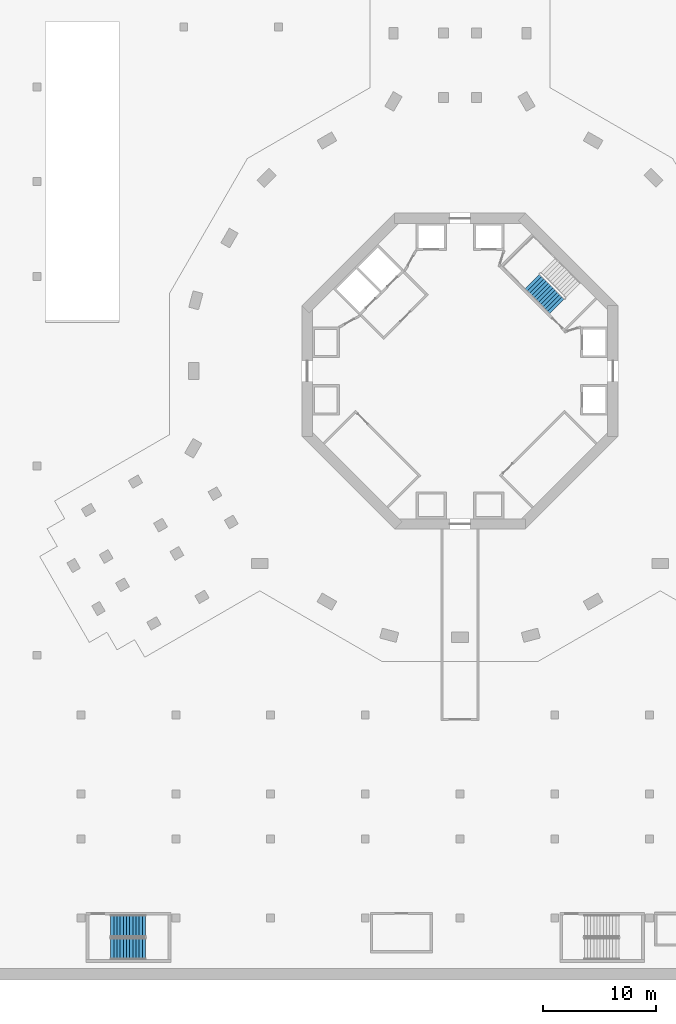
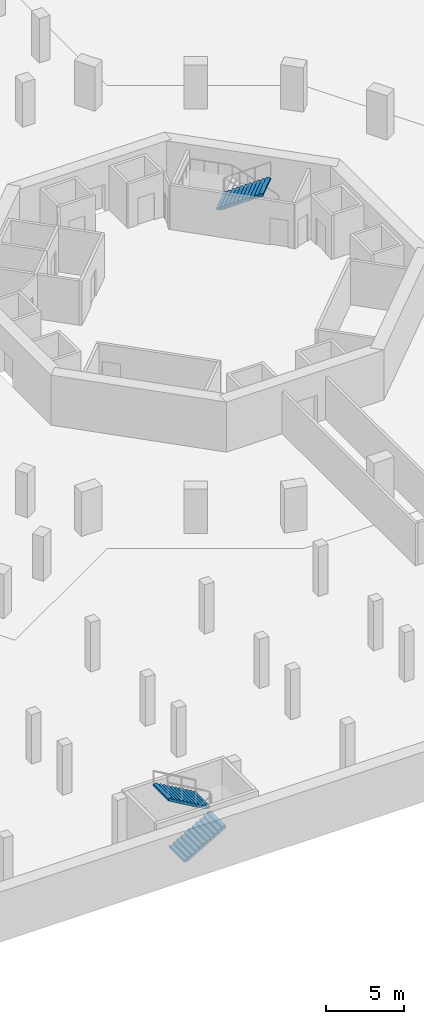
# One storey, part 13 of 25: 3 stair flights, 2 elements without a shape of their own.
"""IFC4 building model written with IfcOpenShell, lengths in metres."""

from ifc_helpers import new_model, si_unit, direction, frame, origin, place, context, subcontext, project, spatial, triangles, material, type_object, element, aggregate, save


model = new_model("IFC4")

# Units and contexts
model_context = context("Model", 3, precision=1e-05, world=origin(), true_north=direction((0.0, 1.0)))
body_context = subcontext(model_context, "Body", "Model", "MODEL_VIEW")
ifc_project = project(units=[si_unit("LENGTHUNIT", "METRE"), si_unit("AREAUNIT", "SQUARE_METRE"), si_unit("VOLUMEUNIT", "CUBIC_METRE"), si_unit("PLANEANGLEUNIT", "RADIAN"), si_unit("MASSUNIT", "GRAM", prefix="KILO")], contexts=[model_context])

# Site, building, storey
site_placement = place(None, origin())
site = spatial("IfcSite", under=ifc_project, at=site_placement, CompositionType="ELEMENT")
building_placement = place(site_placement, origin())
building = spatial("IfcBuilding", under=site, at=building_placement, Name="Verdalira Terraces Hotel", CompositionType="ELEMENT")
storey_placement = place(building_placement, frame((0.0, 0.0, -3.899902)))
storey = spatial("IfcBuildingStorey", under=building, at=storey_placement, Name="B1", CompositionType="ELEMENT", Elevation=-3.89990234375)

# Stair, stair flights
ifc_material_1 = material(Name="Concrete C40", Category="concrete")
stair_type_1 = type_object("IfcStairType", Name="Car park stair 24 risers", PredefinedType="HALF_TURN_STAIR", material=ifc_material_1)
stair_1_placement = place(storey_placement, origin())
stair_1 = element("IfcStair", 1, at=stair_1_placement, inside=storey, type_object=stair_type_1, Name="B1 Exit stair Basement stair 1", PredefinedType="HALF_TURN_STAIR")
ifc_material_2 = material(Name="Concrete C40", Category="concrete")
stair_flight_type_1 = type_object("IfcStairFlightType", Name="Car park stair flight 24 risers", PredefinedType="STRAIGHT", material=ifc_material_2)
stair_flight_1_placement = place(storey_placement, frame((-30.975098, -51.237549, 0.0), z_axis=(0.0, 0.0, 1.0), x_axis=(1.0, 0.0, 0.0)))
stair_flight_1 = element("IfcStairFlight", 2, at=stair_flight_1_placement, type_object=stair_flight_type_1, Name="Basement stair 1 flight 1", NumberOfRisers=12, NumberOfTreads=11, PredefinedType="STRAIGHT", RiserHeight=0.1625, TreadLength=0.28, context=body_context, shape_type="Tessellation", body=[
    triangles([(0.0, 0.962524, 0.0), (0.298584, 0.962524, 0.0), (3.080078, 0.962524, 1.614258), (0.0, -0.962524, 0.0), (0.298584, -0.962524, 0.0), (3.080078, -0.962524, 1.614258), (3.080078, 0.962524, 1.787598), (2.800049, 0.962524, 1.787598), (3.080078, -0.962524, 1.787598), (2.800049, -0.962524, 1.787598), (2.800049, 0.962524, 1.625), (2.800049, -0.962524, 1.625), (2.52002, 0.962524, 1.625), (2.52002, -0.962524, 1.625), (2.52002, 0.962524, 1.462402), (2.52002, -0.962524, 1.462402), (2.23999, 0.962524, 1.462402), (2.23999, 0.962524, 1.300049), (2.23999, -0.962524, 1.462402), (2.23999, -0.962524, 1.300049), (1.959961, 0.962524, 1.300049), (1.959961, 0.962524, 1.137451), (1.959961, -0.962524, 1.300049), (1.959961, -0.962524, 1.137451), (1.679932, 0.962524, 1.137451), (1.679932, 0.962524, 0.975098), (1.679932, -0.962524, 1.137451), (1.679932, -0.962524, 0.975098), (1.399902, 0.962524, 0.975098), (1.399902, 0.962524, 0.8125), (1.399902, -0.962524, 0.975098), (1.399902, -0.962524, 0.8125), (1.120117, 0.962524, 0.8125), (1.120117, 0.962524, 0.649902), (1.120117, -0.962524, 0.8125), (1.120117, -0.962524, 0.649902), (0.840088, 0.962524, 0.649902), (0.840088, 0.962524, 0.487549), (0.840088, -0.962524, 0.649902), (0.840088, -0.962524, 0.487549), (0.560059, 0.962524, 0.487549), (0.560059, 0.962524, 0.324951), (0.560059, -0.962524, 0.487549), (0.560059, -0.962524, 0.324951), (0.280029, 0.962524, 0.324951), (0.280029, 0.962524, 0.162598), (0.280029, -0.962524, 0.324951), (0.280029, -0.962524, 0.162598), (0.0, 0.962524, 0.162598), (0.0, -0.962524, 0.162598), (0.0, -0.902367, 0.0), (0.0, -0.902367, 0.162598), (0.0, -0.842209, 0.0), (0.0, -0.842209, 0.162598), (0.0, -0.782051, 0.0), (0.0, -0.782051, 0.162598), (0.0, -0.721893, 0.0), (0.0, -0.721893, 0.162598), (0.0, -0.661736, 0.0), (0.0, -0.661736, 0.162598), (0.0, -0.601578, 0.0), (0.0, -0.601578, 0.162598), (0.0, -0.54142, 0.0), (0.0, -0.54142, 0.162598), (0.0, -0.481262, 0.0), (0.0, -0.481262, 0.162598), (0.0, -0.421104, 0.0), (0.0, -0.421104, 0.162598), (0.0, -0.360947, 0.0), (0.0, -0.360947, 0.162598), (0.0, -0.300789, 0.0), (0.0, -0.300789, 0.162598), (0.0, -0.240631, 0.0), (0.0, -0.240631, 0.162598), (0.0, -0.180473, 0.0), (0.0, -0.180473, 0.162598), (0.0, -0.120316, 0.0), (0.0, -0.120316, 0.162598), (0.0, -0.060158, 0.0), (0.0, -0.060158, 0.162598), (0.0, 0.0, 0.0), (0.0, 0.0, 0.162598), (0.0, 0.060158, 0.0), (0.0, 0.060158, 0.162598), (0.0, 0.120316, 0.0), (0.0, 0.120316, 0.162598), (0.0, 0.180473, 0.0), (0.0, 0.180473, 0.162598), (0.0, 0.240631, 0.0), (0.0, 0.240631, 0.162598), (0.0, 0.300789, 0.0), (0.0, 0.300789, 0.162598), (0.0, 0.360947, 0.0), (0.0, 0.360947, 0.162598), (0.0, 0.421104, 0.0), (0.0, 0.421104, 0.162598), (0.0, 0.481262, 0.0), (0.0, 0.481262, 0.162598), (0.0, 0.54142, 0.0), (0.0, 0.54142, 0.162598), (0.0, 0.601578, 0.0), (0.0, 0.601578, 0.162598), (0.0, 0.661736, 0.0), (0.0, 0.661736, 0.162598), (0.0, 0.721893, 0.0), (0.0, 0.721893, 0.162598), (0.0, 0.782051, 0.0), (0.0, 0.782051, 0.162598), (0.0, 0.842209, 0.0), (0.0, 0.842209, 0.162598), (0.0, 0.902367, 0.0), (0.0, 0.902367, 0.162598), (3.080078, -0.902367, 1.787598), (3.080078, -0.842209, 1.787598), (3.080078, -0.782051, 1.787598), (3.080078, -0.721893, 1.787598), (3.080078, -0.661736, 1.787598), (3.080078, -0.601578, 1.787598), (3.080078, -0.54142, 1.787598), (3.080078, -0.481262, 1.787598), (3.080078, -0.421104, 1.787598), (3.080078, -0.360947, 1.787598), (3.080078, -0.300789, 1.787598), (3.080078, -0.240631, 1.787598), (3.080078, -0.180473, 1.787598), (3.080078, -0.120316, 1.787598), (3.080078, -0.060158, 1.787598), (3.080078, 0.0, 1.787598), (3.080078, 0.060158, 1.787598), (3.080078, 0.120316, 1.787598), (3.080078, 0.180473, 1.787598), (3.080078, 0.240631, 1.787598), (3.080078, 0.300789, 1.787598), (3.080078, 0.360947, 1.787598), (3.080078, 0.421104, 1.787598), (3.080078, 0.481262, 1.787598), (3.080078, 0.54142, 1.787598), (3.080078, 0.601578, 1.787598), (3.080078, 0.661736, 1.787598), (3.080078, 0.721893, 1.787598), (3.080078, 0.782051, 1.787598), (3.080078, 0.842209, 1.787598), (3.080078, 0.902367, 1.787598), (3.080078, -0.902367, 1.614258), (3.080078, -0.842209, 1.614258), (3.080078, -0.782051, 1.614258), (3.080078, -0.721893, 1.614258), (3.080078, -0.661736, 1.614258), (3.080078, -0.601578, 1.614258), (3.080078, -0.54142, 1.614258), (3.080078, -0.481262, 1.614258), (3.080078, -0.421104, 1.614258), (3.080078, -0.360947, 1.614258), (3.080078, -0.300789, 1.614258), (3.080078, -0.240631, 1.614258), (3.080078, -0.180473, 1.614258), (3.080078, -0.120316, 1.614258), (3.080078, -0.060158, 1.614258), (3.080078, 0.0, 1.614258), (3.080078, 0.060158, 1.614258), (3.080078, 0.120316, 1.614258), (3.080078, 0.180473, 1.614258), (3.080078, 0.240631, 1.614258), (3.080078, 0.300789, 1.614258), (3.080078, 0.360947, 1.614258), (3.080078, 0.421104, 1.614258), (3.080078, 0.481262, 1.614258), (3.080078, 0.54142, 1.614258), (3.080078, 0.601578, 1.614258), (3.080078, 0.661736, 1.614258), (3.080078, 0.721893, 1.614258), (3.080078, 0.782051, 1.614258), (3.080078, 0.842209, 1.614258), (3.080078, 0.902367, 1.614258)], [[1, 3, 2], [4, 5, 6], [3, 8, 7], [6, 9, 10], [3, 11, 8], [6, 10, 12], [3, 13, 11], [6, 12, 14], [3, 15, 13], [6, 14, 16], [15, 18, 17], [16, 19, 20], [3, 18, 15], [6, 16, 20], [18, 22, 21], [20, 23, 24], [3, 22, 18], [6, 20, 24], [22, 26, 25], [24, 27, 28], [3, 26, 22], [6, 24, 28], [26, 30, 29], [28, 31, 32], [3, 30, 26], [6, 28, 32], [30, 34, 33], [32, 35, 36], [3, 34, 30], [6, 32, 36], [34, 38, 37], [36, 39, 40], [3, 38, 34], [6, 36, 40], [38, 42, 41], [40, 43, 44], [3, 42, 38], [6, 40, 44], [1, 42, 3], [4, 6, 44], [42, 46, 45], [44, 47, 48], [1, 46, 42], [4, 44, 48], [46, 1, 49], [48, 50, 4], [4, 52, 51], [4, 50, 52], [51, 54, 53], [51, 52, 54], [53, 56, 55], [53, 54, 56], [55, 58, 57], [55, 56, 58], [57, 60, 59], [57, 58, 60], [59, 62, 61], [59, 60, 62], [61, 64, 63], [61, 62, 64], [63, 66, 65], [63, 64, 66], [65, 68, 67], [65, 66, 68], [67, 70, 69], [67, 68, 70], [69, 72, 71], [69, 70, 72], [71, 74, 73], [71, 72, 74], [73, 76, 75], [73, 74, 76], [75, 78, 77], [75, 76, 78], [77, 80, 79], [77, 78, 80], [79, 82, 81], [79, 80, 82], [81, 84, 83], [81, 82, 84], [83, 86, 85], [83, 84, 86], [85, 88, 87], [85, 86, 88], [87, 90, 89], [87, 88, 90], [89, 92, 91], [89, 90, 92], [91, 94, 93], [91, 92, 94], [93, 96, 95], [93, 94, 96], [95, 98, 97], [95, 96, 98], [97, 100, 99], [97, 98, 100], [99, 102, 101], [99, 100, 102], [101, 104, 103], [101, 102, 104], [103, 106, 105], [103, 104, 106], [105, 108, 107], [105, 106, 108], [107, 110, 109], [107, 108, 110], [109, 112, 111], [109, 110, 112], [111, 49, 1], [111, 112, 49], [50, 48, 52], [52, 48, 54], [54, 48, 56], [56, 48, 58], [58, 48, 60], [60, 48, 62], [62, 48, 64], [64, 48, 66], [66, 48, 68], [68, 48, 70], [70, 48, 72], [72, 48, 74], [74, 48, 76], [76, 48, 78], [78, 48, 80], [80, 48, 82], [82, 48, 84], [84, 48, 86], [86, 48, 88], [88, 48, 90], [90, 48, 92], [92, 48, 94], [94, 48, 96], [96, 48, 98], [98, 48, 100], [100, 48, 102], [102, 48, 104], [104, 48, 106], [106, 48, 108], [108, 48, 110], [110, 48, 112], [112, 48, 49], [49, 48, 46], [48, 45, 46], [48, 47, 45], [47, 42, 45], [47, 44, 42], [44, 41, 42], [44, 43, 41], [43, 38, 41], [43, 40, 38], [40, 37, 38], [40, 39, 37], [39, 34, 37], [39, 36, 34], [36, 33, 34], [36, 35, 33], [35, 30, 33], [35, 32, 30], [32, 29, 30], [32, 31, 29], [31, 26, 29], [31, 28, 26], [28, 25, 26], [28, 27, 25], [27, 22, 25], [27, 24, 22], [24, 21, 22], [24, 23, 21], [23, 18, 21], [23, 20, 18], [20, 17, 18], [20, 19, 17], [19, 15, 17], [19, 16, 15], [16, 13, 15], [16, 14, 13], [14, 11, 13], [14, 12, 11], [12, 8, 11], [12, 10, 8], [9, 113, 10], [113, 114, 10], [114, 115, 10], [115, 116, 10], [116, 117, 10], [117, 118, 10], [118, 119, 10], [119, 120, 10], [120, 121, 10], [121, 122, 10], [122, 123, 10], [123, 124, 10], [124, 125, 10], [125, 126, 10], [126, 127, 10], [127, 128, 10], [128, 129, 10], [129, 130, 10], [130, 131, 10], [131, 132, 10], [132, 133, 10], [133, 134, 10], [134, 135, 10], [135, 136, 10], [136, 137, 10], [137, 138, 10], [138, 139, 10], [139, 140, 10], [140, 141, 10], [141, 142, 10], [142, 143, 10], [143, 7, 10], [7, 8, 10], [9, 144, 113], [9, 6, 144], [113, 145, 114], [113, 144, 145], [114, 146, 115], [114, 145, 146], [115, 147, 116], [115, 146, 147], [116, 148, 117], [116, 147, 148], [117, 149, 118], [117, 148, 149], [118, 150, 119], [118, 149, 150], [119, 151, 120], [119, 150, 151], [120, 152, 121], [120, 151, 152], [121, 153, 122], [121, 152, 153], [122, 154, 123], [122, 153, 154], [123, 155, 124], [123, 154, 155], [124, 156, 125], [124, 155, 156], [125, 157, 126], [125, 156, 157], [126, 158, 127], [126, 157, 158], [127, 159, 128], [127, 158, 159], [128, 160, 129], [128, 159, 160], [129, 161, 130], [129, 160, 161], [130, 162, 131], [130, 161, 162], [131, 163, 132], [131, 162, 163], [132, 164, 133], [132, 163, 164], [133, 165, 134], [133, 164, 165], [134, 166, 135], [134, 165, 166], [135, 167, 136], [135, 166, 167], [136, 168, 137], [136, 167, 168], [137, 169, 138], [137, 168, 169], [138, 170, 139], [138, 169, 170], [139, 171, 140], [139, 170, 171], [140, 172, 141], [140, 171, 172], [141, 173, 142], [141, 172, 173], [142, 174, 143], [142, 173, 174], [143, 3, 7], [143, 174, 3], [6, 5, 144], [144, 5, 145], [145, 5, 146], [146, 5, 147], [147, 5, 148], [148, 5, 149], [149, 5, 150], [150, 5, 151], [151, 5, 152], [152, 5, 153], [153, 5, 154], [154, 5, 155], [155, 5, 156], [156, 5, 157], [157, 5, 158], [158, 5, 159], [159, 5, 160], [160, 5, 161], [161, 5, 162], [162, 5, 163], [163, 5, 164], [164, 5, 165], [165, 5, 166], [166, 5, 167], [167, 5, 168], [168, 5, 169], [169, 5, 170], [170, 5, 171], [171, 5, 172], [172, 5, 173], [173, 5, 174], [174, 5, 3], [3, 5, 2], [4, 51, 5], [51, 53, 5], [53, 55, 5], [55, 57, 5], [57, 59, 5], [59, 61, 5], [61, 63, 5], [63, 65, 5], [65, 67, 5], [67, 69, 5], [69, 71, 5], [71, 73, 5], [73, 75, 5], [75, 77, 5], [77, 79, 5], [79, 81, 5], [81, 83, 5], [83, 85, 5], [85, 87, 5], [87, 89, 5], [89, 91, 5], [91, 93, 5], [93, 95, 5], [95, 97, 5], [97, 99, 5], [99, 101, 5], [101, 103, 5], [103, 105, 5], [105, 107, 5], [107, 109, 5], [109, 111, 5], [111, 1, 5], [1, 2, 5]], closed=True),
])
stair_flight_2_placement = place(storey_placement, frame((-27.89502, -49.212402, 1.949951), z_axis=(0.0, 0.0, 1.0), x_axis=(-1.0, 0.0, 0.0)))
stair_flight_2 = element("IfcStairFlight", 3, at=stair_flight_2_placement, type_object=stair_flight_type_1, Name="Basement stair 1 flight 2", NumberOfRisers=12, NumberOfTreads=11, PredefinedType="STRAIGHT", RiserHeight=0.1625, TreadLength=0.28, context=body_context, shape_type="Tessellation", body=[
    triangles([(0.0, 0.962524, 0.0), (0.298584, 0.962524, 0.0), (3.080078, 0.962524, 1.614258), (0.0, -0.962524, 0.0), (0.298584, -0.962524, 0.0), (3.080078, -0.962524, 1.614258), (3.080078, 0.962524, 1.787598), (2.800049, 0.962524, 1.787598), (3.080078, -0.962524, 1.787598), (2.800049, -0.962524, 1.787598), (2.800049, 0.962524, 1.625), (2.800049, -0.962524, 1.625), (2.52002, 0.962524, 1.625), (2.52002, -0.962524, 1.625), (2.52002, 0.962524, 1.462402), (2.52002, -0.962524, 1.462402), (2.23999, 0.962524, 1.462402), (2.23999, 0.962524, 1.300049), (2.23999, -0.962524, 1.462402), (2.23999, -0.962524, 1.300049), (1.959961, 0.962524, 1.300049), (1.959961, 0.962524, 1.137451), (1.959961, -0.962524, 1.300049), (1.959961, -0.962524, 1.137451), (1.679932, 0.962524, 1.137451), (1.679932, 0.962524, 0.975098), (1.679932, -0.962524, 1.137451), (1.679932, -0.962524, 0.975098), (1.399902, 0.962524, 0.975098), (1.399902, 0.962524, 0.8125), (1.399902, -0.962524, 0.975098), (1.399902, -0.962524, 0.8125), (1.120117, 0.962524, 0.8125), (1.120117, 0.962524, 0.649902), (1.120117, -0.962524, 0.8125), (1.120117, -0.962524, 0.649902), (0.840088, 0.962524, 0.649902), (0.840088, 0.962524, 0.487549), (0.840088, -0.962524, 0.649902), (0.840088, -0.962524, 0.487549), (0.560059, 0.962524, 0.487549), (0.560059, 0.962524, 0.324951), (0.560059, -0.962524, 0.487549), (0.560059, -0.962524, 0.324951), (0.280029, 0.962524, 0.324951), (0.280029, 0.962524, 0.162598), (0.280029, -0.962524, 0.324951), (0.280029, -0.962524, 0.162598), (0.0, 0.962524, 0.162598), (0.0, -0.962524, 0.162598), (0.0, -0.902367, 0.0), (0.0, -0.902367, 0.162598), (0.0, -0.842209, 0.0), (0.0, -0.842209, 0.162598), (0.0, -0.782051, 0.0), (0.0, -0.782051, 0.162598), (0.0, -0.721893, 0.0), (0.0, -0.721893, 0.162598), (0.0, -0.661736, 0.0), (0.0, -0.661736, 0.162598), (0.0, -0.601578, 0.0), (0.0, -0.601578, 0.162598), (0.0, -0.54142, 0.0), (0.0, -0.54142, 0.162598), (0.0, -0.481262, 0.0), (0.0, -0.481262, 0.162598), (0.0, -0.421104, 0.0), (0.0, -0.421104, 0.162598), (0.0, -0.360947, 0.0), (0.0, -0.360947, 0.162598), (0.0, -0.300789, 0.0), (0.0, -0.300789, 0.162598), (0.0, -0.240631, 0.0), (0.0, -0.240631, 0.162598), (0.0, -0.180473, 0.0), (0.0, -0.180473, 0.162598), (0.0, -0.120316, 0.0), (0.0, -0.120316, 0.162598), (0.0, -0.060158, 0.0), (0.0, -0.060158, 0.162598), (0.0, 0.0, 0.0), (0.0, 0.0, 0.162598), (0.0, 0.060158, 0.0), (0.0, 0.060158, 0.162598), (0.0, 0.120316, 0.0), (0.0, 0.120316, 0.162598), (0.0, 0.180473, 0.0), (0.0, 0.180473, 0.162598), (0.0, 0.240631, 0.0), (0.0, 0.240631, 0.162598), (0.0, 0.300789, 0.0), (0.0, 0.300789, 0.162598), (0.0, 0.360947, 0.0), (0.0, 0.360947, 0.162598), (0.0, 0.421104, 0.0), (0.0, 0.421104, 0.162598), (0.0, 0.481262, 0.0), (0.0, 0.481262, 0.162598), (0.0, 0.54142, 0.0), (0.0, 0.54142, 0.162598), (0.0, 0.601578, 0.0), (0.0, 0.601578, 0.162598), (0.0, 0.661736, 0.0), (0.0, 0.661736, 0.162598), (0.0, 0.721893, 0.0), (0.0, 0.721893, 0.162598), (0.0, 0.782051, 0.0), (0.0, 0.782051, 0.162598), (0.0, 0.842209, 0.0), (0.0, 0.842209, 0.162598), (0.0, 0.902367, 0.0), (0.0, 0.902367, 0.162598), (3.080078, -0.902367, 1.787598), (3.080078, -0.842209, 1.787598), (3.080078, -0.782051, 1.787598), (3.080078, -0.721893, 1.787598), (3.080078, -0.661736, 1.787598), (3.080078, -0.601578, 1.787598), (3.080078, -0.54142, 1.787598), (3.080078, -0.481262, 1.787598), (3.080078, -0.421104, 1.787598), (3.080078, -0.360947, 1.787598), (3.080078, -0.300789, 1.787598), (3.080078, -0.240631, 1.787598), (3.080078, -0.180473, 1.787598), (3.080078, -0.120316, 1.787598), (3.080078, -0.060158, 1.787598), (3.080078, 0.0, 1.787598), (3.080078, 0.060158, 1.787598), (3.080078, 0.120316, 1.787598), (3.080078, 0.180473, 1.787598), (3.080078, 0.240631, 1.787598), (3.080078, 0.300789, 1.787598), (3.080078, 0.360947, 1.787598), (3.080078, 0.421104, 1.787598), (3.080078, 0.481262, 1.787598), (3.080078, 0.54142, 1.787598), (3.080078, 0.601578, 1.787598), (3.080078, 0.661736, 1.787598), (3.080078, 0.721893, 1.787598), (3.080078, 0.782051, 1.787598), (3.080078, 0.842209, 1.787598), (3.080078, 0.902367, 1.787598), (3.080078, -0.902367, 1.614258), (3.080078, -0.842209, 1.614258), (3.080078, -0.782051, 1.614258), (3.080078, -0.721893, 1.614258), (3.080078, -0.661736, 1.614258), (3.080078, -0.601578, 1.614258), (3.080078, -0.54142, 1.614258), (3.080078, -0.481262, 1.614258), (3.080078, -0.421104, 1.614258), (3.080078, -0.360947, 1.614258), (3.080078, -0.300789, 1.614258), (3.080078, -0.240631, 1.614258), (3.080078, -0.180473, 1.614258), (3.080078, -0.120316, 1.614258), (3.080078, -0.060158, 1.614258), (3.080078, 0.0, 1.614258), (3.080078, 0.060158, 1.614258), (3.080078, 0.120316, 1.614258), (3.080078, 0.180473, 1.614258), (3.080078, 0.240631, 1.614258), (3.080078, 0.300789, 1.614258), (3.080078, 0.360947, 1.614258), (3.080078, 0.421104, 1.614258), (3.080078, 0.481262, 1.614258), (3.080078, 0.54142, 1.614258), (3.080078, 0.601578, 1.614258), (3.080078, 0.661736, 1.614258), (3.080078, 0.721893, 1.614258), (3.080078, 0.782051, 1.614258), (3.080078, 0.842209, 1.614258), (3.080078, 0.902367, 1.614258)], [[1, 3, 2], [4, 5, 6], [3, 8, 7], [6, 9, 10], [3, 11, 8], [6, 10, 12], [3, 13, 11], [6, 12, 14], [3, 15, 13], [6, 14, 16], [15, 18, 17], [16, 19, 20], [3, 18, 15], [6, 16, 20], [18, 22, 21], [20, 23, 24], [3, 22, 18], [6, 20, 24], [22, 26, 25], [24, 27, 28], [3, 26, 22], [6, 24, 28], [26, 30, 29], [28, 31, 32], [3, 30, 26], [6, 28, 32], [30, 34, 33], [32, 35, 36], [3, 34, 30], [6, 32, 36], [34, 38, 37], [36, 39, 40], [3, 38, 34], [6, 36, 40], [38, 42, 41], [40, 43, 44], [3, 42, 38], [6, 40, 44], [1, 42, 3], [4, 6, 44], [42, 46, 45], [44, 47, 48], [1, 46, 42], [4, 44, 48], [46, 1, 49], [48, 50, 4], [4, 52, 51], [4, 50, 52], [51, 54, 53], [51, 52, 54], [53, 56, 55], [53, 54, 56], [55, 58, 57], [55, 56, 58], [57, 60, 59], [57, 58, 60], [59, 62, 61], [59, 60, 62], [61, 64, 63], [61, 62, 64], [63, 66, 65], [63, 64, 66], [65, 68, 67], [65, 66, 68], [67, 70, 69], [67, 68, 70], [69, 72, 71], [69, 70, 72], [71, 74, 73], [71, 72, 74], [73, 76, 75], [73, 74, 76], [75, 78, 77], [75, 76, 78], [77, 80, 79], [77, 78, 80], [79, 82, 81], [79, 80, 82], [81, 84, 83], [81, 82, 84], [83, 86, 85], [83, 84, 86], [85, 88, 87], [85, 86, 88], [87, 90, 89], [87, 88, 90], [89, 92, 91], [89, 90, 92], [91, 94, 93], [91, 92, 94], [93, 96, 95], [93, 94, 96], [95, 98, 97], [95, 96, 98], [97, 100, 99], [97, 98, 100], [99, 102, 101], [99, 100, 102], [101, 104, 103], [101, 102, 104], [103, 106, 105], [103, 104, 106], [105, 108, 107], [105, 106, 108], [107, 110, 109], [107, 108, 110], [109, 112, 111], [109, 110, 112], [111, 49, 1], [111, 112, 49], [50, 48, 52], [52, 48, 54], [54, 48, 56], [56, 48, 58], [58, 48, 60], [60, 48, 62], [62, 48, 64], [64, 48, 66], [66, 48, 68], [68, 48, 70], [70, 48, 72], [72, 48, 74], [74, 48, 76], [76, 48, 78], [78, 48, 80], [80, 48, 82], [82, 48, 84], [84, 48, 86], [86, 48, 88], [88, 48, 90], [90, 48, 92], [92, 48, 94], [94, 48, 96], [96, 48, 98], [98, 48, 100], [100, 48, 102], [102, 48, 104], [104, 48, 106], [106, 48, 108], [108, 48, 110], [110, 48, 112], [112, 48, 49], [49, 48, 46], [48, 45, 46], [48, 47, 45], [47, 42, 45], [47, 44, 42], [44, 41, 42], [44, 43, 41], [43, 38, 41], [43, 40, 38], [40, 37, 38], [40, 39, 37], [39, 34, 37], [39, 36, 34], [36, 33, 34], [36, 35, 33], [35, 30, 33], [35, 32, 30], [32, 29, 30], [32, 31, 29], [31, 26, 29], [31, 28, 26], [28, 25, 26], [28, 27, 25], [27, 22, 25], [27, 24, 22], [24, 21, 22], [24, 23, 21], [23, 18, 21], [23, 20, 18], [20, 17, 18], [20, 19, 17], [19, 15, 17], [19, 16, 15], [16, 13, 15], [16, 14, 13], [14, 11, 13], [14, 12, 11], [12, 8, 11], [12, 10, 8], [9, 113, 10], [113, 114, 10], [114, 115, 10], [115, 116, 10], [116, 117, 10], [117, 118, 10], [118, 119, 10], [119, 120, 10], [120, 121, 10], [121, 122, 10], [122, 123, 10], [123, 124, 10], [124, 125, 10], [125, 126, 10], [126, 127, 10], [127, 128, 10], [128, 129, 10], [129, 130, 10], [130, 131, 10], [131, 132, 10], [132, 133, 10], [133, 134, 10], [134, 135, 10], [135, 136, 10], [136, 137, 10], [137, 138, 10], [138, 139, 10], [139, 140, 10], [140, 141, 10], [141, 142, 10], [142, 143, 10], [143, 7, 10], [7, 8, 10], [9, 144, 113], [9, 6, 144], [113, 145, 114], [113, 144, 145], [114, 146, 115], [114, 145, 146], [115, 147, 116], [115, 146, 147], [116, 148, 117], [116, 147, 148], [117, 149, 118], [117, 148, 149], [118, 150, 119], [118, 149, 150], [119, 151, 120], [119, 150, 151], [120, 152, 121], [120, 151, 152], [121, 153, 122], [121, 152, 153], [122, 154, 123], [122, 153, 154], [123, 155, 124], [123, 154, 155], [124, 156, 125], [124, 155, 156], [125, 157, 126], [125, 156, 157], [126, 158, 127], [126, 157, 158], [127, 159, 128], [127, 158, 159], [128, 160, 129], [128, 159, 160], [129, 161, 130], [129, 160, 161], [130, 162, 131], [130, 161, 162], [131, 163, 132], [131, 162, 163], [132, 164, 133], [132, 163, 164], [133, 165, 134], [133, 164, 165], [134, 166, 135], [134, 165, 166], [135, 167, 136], [135, 166, 167], [136, 168, 137], [136, 167, 168], [137, 169, 138], [137, 168, 169], [138, 170, 139], [138, 169, 170], [139, 171, 140], [139, 170, 171], [140, 172, 141], [140, 171, 172], [141, 173, 142], [141, 172, 173], [142, 174, 143], [142, 173, 174], [143, 3, 7], [143, 174, 3], [6, 5, 144], [144, 5, 145], [145, 5, 146], [146, 5, 147], [147, 5, 148], [148, 5, 149], [149, 5, 150], [150, 5, 151], [151, 5, 152], [152, 5, 153], [153, 5, 154], [154, 5, 155], [155, 5, 156], [156, 5, 157], [157, 5, 158], [158, 5, 159], [159, 5, 160], [160, 5, 161], [161, 5, 162], [162, 5, 163], [163, 5, 164], [164, 5, 165], [165, 5, 166], [166, 5, 167], [167, 5, 168], [168, 5, 169], [169, 5, 170], [170, 5, 171], [171, 5, 172], [172, 5, 173], [173, 5, 174], [174, 5, 3], [3, 5, 2], [4, 51, 5], [51, 53, 5], [53, 55, 5], [55, 57, 5], [57, 59, 5], [59, 61, 5], [61, 63, 5], [63, 65, 5], [65, 67, 5], [67, 69, 5], [69, 71, 5], [71, 73, 5], [73, 75, 5], [75, 77, 5], [77, 79, 5], [79, 81, 5], [81, 83, 5], [83, 85, 5], [85, 87, 5], [87, 89, 5], [89, 91, 5], [91, 93, 5], [93, 95, 5], [95, 97, 5], [97, 99, 5], [99, 101, 5], [101, 103, 5], [103, 105, 5], [105, 107, 5], [107, 109, 5], [109, 111, 5], [111, 1, 5], [1, 2, 5]], closed=True),
])
aggregate(stair_1, [stair_flight_1, stair_flight_2])

# Stair, stair flight
ifc_material_3 = material(Name="Concrete C40", Category="concrete")
stair_type_2 = type_object("IfcStairType", Name="Core stair 24 risers 1900 mm wide", PredefinedType="HALF_TURN_STAIR", material=ifc_material_3)
stair_2_placement = place(storey_placement, origin())
stair_2 = element("IfcStair", 4, at=stair_2_placement, inside=storey, type_object=stair_type_2, Name="B1 Exit stair ST1", PredefinedType="HALF_TURN_STAIR")
ifc_material_4 = material(Name="Concrete C40", Category="concrete")
stair_flight_type_2 = type_object("IfcStairFlightType", Name="Core stair flight 24 risers 1900 mm wide", PredefinedType="STRAIGHT", material=ifc_material_4)
stair_flight_3_placement = place(storey_placement, frame((6.413574, 7.940918, 1.949951), z_axis=(0.0, 0.0, 1.0), x_axis=(0.707106781, -0.707106781, 0.0)))
stair_flight_3 = element("IfcStairFlight", 5, at=stair_flight_3_placement, type_object=stair_flight_type_2, Name="ST1 flight 2", NumberOfRisers=12, NumberOfTreads=11, PredefinedType="STRAIGHT", RiserHeight=0.1625, TreadLength=0.28, context=body_context, shape_type="Tessellation", body=[
    triangles([(0.0, 0.949951, 0.0), (0.298584, 0.949951, 0.0), (3.080078, 0.949951, 1.614258), (0.0, -0.949951, 0.0), (0.298584, -0.949951, 0.0), (3.080078, -0.949951, 1.614258), (3.080078, 0.949951, 1.787598), (2.800049, 0.949951, 1.787598), (3.080078, -0.949951, 1.787598), (2.800049, -0.949951, 1.787598), (2.800049, 0.949951, 1.625), (2.800049, -0.949951, 1.625), (2.52002, 0.949951, 1.625), (2.52002, -0.949951, 1.625), (2.52002, 0.949951, 1.462402), (2.52002, -0.949951, 1.462402), (2.23999, 0.949951, 1.462402), (2.23999, 0.949951, 1.300049), (2.23999, -0.949951, 1.462402), (2.23999, -0.949951, 1.300049), (1.959961, 0.949951, 1.300049), (1.959961, 0.949951, 1.137451), (1.959961, -0.949951, 1.300049), (1.959961, -0.949951, 1.137451), (1.679932, 0.949951, 1.137451), (1.679932, 0.949951, 0.975098), (1.679932, -0.949951, 1.137451), (1.679932, -0.949951, 0.975098), (1.399902, 0.949951, 0.975098), (1.399902, 0.949951, 0.8125), (1.399902, -0.949951, 0.975098), (1.399902, -0.949951, 0.8125), (1.120117, 0.949951, 0.8125), (1.120117, 0.949951, 0.649902), (1.120117, -0.949951, 0.8125), (1.120117, -0.949951, 0.649902), (0.840088, 0.949951, 0.649902), (0.840088, 0.949951, 0.487549), (0.840088, -0.949951, 0.649902), (0.840088, -0.949951, 0.487549), (0.560059, 0.949951, 0.487549), (0.560059, 0.949951, 0.324951), (0.560059, -0.949951, 0.487549), (0.560059, -0.949951, 0.324951), (0.280029, 0.949951, 0.324951), (0.280029, 0.949951, 0.162598), (0.280029, -0.949951, 0.324951), (0.280029, -0.949951, 0.162598), (0.0, 0.949951, 0.162598), (0.0, -0.949951, 0.162598), (0.0, -0.890579, 0.0), (0.0, -0.890579, 0.162598), (0.0, -0.831207, 0.0), (0.0, -0.831207, 0.162598), (0.0, -0.771835, 0.0), (0.0, -0.771835, 0.162598), (0.0, -0.712463, 0.0), (0.0, -0.712463, 0.162598), (0.0, -0.653091, 0.0), (0.0, -0.653091, 0.162598), (0.0, -0.593719, 0.0), (0.0, -0.593719, 0.162598), (0.0, -0.534348, 0.0), (0.0, -0.534348, 0.162598), (0.0, -0.474976, 0.0), (0.0, -0.474976, 0.162598), (0.0, -0.415604, 0.0), (0.0, -0.415604, 0.162598), (0.0, -0.356232, 0.0), (0.0, -0.356232, 0.162598), (0.0, -0.29686, 0.0), (0.0, -0.29686, 0.162598), (0.0, -0.237488, 0.0), (0.0, -0.237488, 0.162598), (0.0, -0.178116, 0.0), (0.0, -0.178116, 0.162598), (0.0, -0.118744, 0.0), (0.0, -0.118744, 0.162598), (0.0, -0.059372, 0.0), (0.0, -0.059372, 0.162598), (0.0, 0.0, 0.0), (0.0, 0.0, 0.162598), (0.0, 0.059372, 0.0), (0.0, 0.059372, 0.162598), (0.0, 0.118744, 0.0), (0.0, 0.118744, 0.162598), (0.0, 0.178116, 0.0), (0.0, 0.178116, 0.162598), (0.0, 0.237488, 0.0), (0.0, 0.237488, 0.162598), (0.0, 0.29686, 0.0), (0.0, 0.29686, 0.162598), (0.0, 0.356232, 0.0), (0.0, 0.356232, 0.162598), (0.0, 0.415604, 0.0), (0.0, 0.415604, 0.162598), (0.0, 0.474976, 0.0), (0.0, 0.474976, 0.162598), (0.0, 0.534348, 0.0), (0.0, 0.534348, 0.162598), (0.0, 0.593719, 0.0), (0.0, 0.593719, 0.162598), (0.0, 0.653091, 0.0), (0.0, 0.653091, 0.162598), (0.0, 0.712463, 0.0), (0.0, 0.712463, 0.162598), (0.0, 0.771835, 0.0), (0.0, 0.771835, 0.162598), (0.0, 0.831207, 0.0), (0.0, 0.831207, 0.162598), (0.0, 0.890579, 0.0), (0.0, 0.890579, 0.162598), (3.080078, -0.890579, 1.787598), (3.080078, -0.831207, 1.787598), (3.080078, -0.771835, 1.787598), (3.080078, -0.712463, 1.787598), (3.080078, -0.653091, 1.787598), (3.080078, -0.593719, 1.787598), (3.080078, -0.534348, 1.787598), (3.080078, -0.474976, 1.787598), (3.080078, -0.415604, 1.787598), (3.080078, -0.356232, 1.787598), (3.080078, -0.29686, 1.787598), (3.080078, -0.237488, 1.787598), (3.080078, -0.178116, 1.787598), (3.080078, -0.118744, 1.787598), (3.080078, -0.059372, 1.787598), (3.080078, 0.0, 1.787598), (3.080078, 0.059372, 1.787598), (3.080078, 0.118744, 1.787598), (3.080078, 0.178116, 1.787598), (3.080078, 0.237488, 1.787598), (3.080078, 0.29686, 1.787598), (3.080078, 0.356232, 1.787598), (3.080078, 0.415604, 1.787598), (3.080078, 0.474976, 1.787598), (3.080078, 0.534348, 1.787598), (3.080078, 0.593719, 1.787598), (3.080078, 0.653091, 1.787598), (3.080078, 0.712463, 1.787598), (3.080078, 0.771835, 1.787598), (3.080078, 0.831207, 1.787598), (3.080078, 0.890579, 1.787598), (3.080078, -0.890579, 1.614258), (3.080078, -0.831207, 1.614258), (3.080078, -0.771835, 1.614258), (3.080078, -0.712463, 1.614258), (3.080078, -0.653091, 1.614258), (3.080078, -0.593719, 1.614258), (3.080078, -0.534348, 1.614258), (3.080078, -0.474976, 1.614258), (3.080078, -0.415604, 1.614258), (3.080078, -0.356232, 1.614258), (3.080078, -0.29686, 1.614258), (3.080078, -0.237488, 1.614258), (3.080078, -0.178116, 1.614258), (3.080078, -0.118744, 1.614258), (3.080078, -0.059372, 1.614258), (3.080078, 0.0, 1.614258), (3.080078, 0.059372, 1.614258), (3.080078, 0.118744, 1.614258), (3.080078, 0.178116, 1.614258), (3.080078, 0.237488, 1.614258), (3.080078, 0.29686, 1.614258), (3.080078, 0.356232, 1.614258), (3.080078, 0.415604, 1.614258), (3.080078, 0.474976, 1.614258), (3.080078, 0.534348, 1.614258), (3.080078, 0.593719, 1.614258), (3.080078, 0.653091, 1.614258), (3.080078, 0.712463, 1.614258), (3.080078, 0.771835, 1.614258), (3.080078, 0.831207, 1.614258), (3.080078, 0.890579, 1.614258)], [[1, 3, 2], [4, 5, 6], [3, 8, 7], [6, 9, 10], [3, 11, 8], [6, 10, 12], [3, 13, 11], [6, 12, 14], [3, 15, 13], [6, 14, 16], [15, 18, 17], [16, 19, 20], [3, 18, 15], [6, 16, 20], [18, 22, 21], [20, 23, 24], [3, 22, 18], [6, 20, 24], [22, 26, 25], [24, 27, 28], [3, 26, 22], [6, 24, 28], [26, 30, 29], [28, 31, 32], [3, 30, 26], [6, 28, 32], [30, 34, 33], [32, 35, 36], [3, 34, 30], [6, 32, 36], [34, 38, 37], [36, 39, 40], [3, 38, 34], [6, 36, 40], [38, 42, 41], [40, 43, 44], [3, 42, 38], [6, 40, 44], [1, 42, 3], [4, 6, 44], [42, 46, 45], [44, 47, 48], [1, 46, 42], [4, 44, 48], [46, 1, 49], [48, 50, 4], [4, 52, 51], [4, 50, 52], [51, 54, 53], [51, 52, 54], [53, 56, 55], [53, 54, 56], [55, 58, 57], [55, 56, 58], [57, 60, 59], [57, 58, 60], [59, 62, 61], [59, 60, 62], [61, 64, 63], [61, 62, 64], [63, 66, 65], [63, 64, 66], [65, 68, 67], [65, 66, 68], [67, 70, 69], [67, 68, 70], [69, 72, 71], [69, 70, 72], [71, 74, 73], [71, 72, 74], [73, 76, 75], [73, 74, 76], [75, 78, 77], [75, 76, 78], [77, 80, 79], [77, 78, 80], [79, 82, 81], [79, 80, 82], [81, 84, 83], [81, 82, 84], [83, 86, 85], [83, 84, 86], [85, 88, 87], [85, 86, 88], [87, 90, 89], [87, 88, 90], [89, 92, 91], [89, 90, 92], [91, 94, 93], [91, 92, 94], [93, 96, 95], [93, 94, 96], [95, 98, 97], [95, 96, 98], [97, 100, 99], [97, 98, 100], [99, 102, 101], [99, 100, 102], [101, 104, 103], [101, 102, 104], [103, 106, 105], [103, 104, 106], [105, 108, 107], [105, 106, 108], [107, 110, 109], [107, 108, 110], [109, 112, 111], [109, 110, 112], [111, 49, 1], [111, 112, 49], [50, 48, 52], [52, 48, 54], [54, 48, 56], [56, 48, 58], [58, 48, 60], [60, 48, 62], [62, 48, 64], [64, 48, 66], [66, 48, 68], [68, 48, 70], [70, 48, 72], [72, 48, 74], [74, 48, 76], [76, 48, 78], [78, 48, 80], [80, 48, 82], [82, 48, 84], [84, 48, 86], [86, 48, 88], [88, 48, 90], [90, 48, 92], [92, 48, 94], [94, 48, 96], [96, 48, 98], [98, 48, 100], [100, 48, 102], [102, 48, 104], [104, 48, 106], [106, 48, 108], [108, 48, 110], [110, 48, 112], [112, 48, 49], [49, 48, 46], [48, 45, 46], [48, 47, 45], [47, 42, 45], [47, 44, 42], [44, 41, 42], [44, 43, 41], [43, 38, 41], [43, 40, 38], [40, 37, 38], [40, 39, 37], [39, 34, 37], [39, 36, 34], [36, 33, 34], [36, 35, 33], [35, 30, 33], [35, 32, 30], [32, 29, 30], [32, 31, 29], [31, 26, 29], [31, 28, 26], [28, 25, 26], [28, 27, 25], [27, 22, 25], [27, 24, 22], [24, 21, 22], [24, 23, 21], [23, 18, 21], [23, 20, 18], [20, 17, 18], [20, 19, 17], [19, 15, 17], [19, 16, 15], [16, 13, 15], [16, 14, 13], [14, 11, 13], [14, 12, 11], [12, 8, 11], [12, 10, 8], [9, 113, 10], [113, 114, 10], [114, 115, 10], [115, 116, 10], [116, 117, 10], [117, 118, 10], [118, 119, 10], [119, 120, 10], [120, 121, 10], [121, 122, 10], [122, 123, 10], [123, 124, 10], [124, 125, 10], [125, 126, 10], [126, 127, 10], [127, 128, 10], [128, 129, 10], [129, 130, 10], [130, 131, 10], [131, 132, 10], [132, 133, 10], [133, 134, 10], [134, 135, 10], [135, 136, 10], [136, 137, 10], [137, 138, 10], [138, 139, 10], [139, 140, 10], [140, 141, 10], [141, 142, 10], [142, 143, 10], [143, 7, 10], [7, 8, 10], [9, 144, 113], [9, 6, 144], [113, 145, 114], [113, 144, 145], [114, 146, 115], [114, 145, 146], [115, 147, 116], [115, 146, 147], [116, 148, 117], [116, 147, 148], [117, 149, 118], [117, 148, 149], [118, 150, 119], [118, 149, 150], [119, 151, 120], [119, 150, 151], [120, 152, 121], [120, 151, 152], [121, 153, 122], [121, 152, 153], [122, 154, 123], [122, 153, 154], [123, 155, 124], [123, 154, 155], [124, 156, 125], [124, 155, 156], [125, 157, 126], [125, 156, 157], [126, 158, 127], [126, 157, 158], [127, 159, 128], [127, 158, 159], [128, 160, 129], [128, 159, 160], [129, 161, 130], [129, 160, 161], [130, 162, 131], [130, 161, 162], [131, 163, 132], [131, 162, 163], [132, 164, 133], [132, 163, 164], [133, 165, 134], [133, 164, 165], [134, 166, 135], [134, 165, 166], [135, 167, 136], [135, 166, 167], [136, 168, 137], [136, 167, 168], [137, 169, 138], [137, 168, 169], [138, 170, 139], [138, 169, 170], [139, 171, 140], [139, 170, 171], [140, 172, 141], [140, 171, 172], [141, 173, 142], [141, 172, 173], [142, 174, 143], [142, 173, 174], [143, 3, 7], [143, 174, 3], [6, 5, 144], [144, 5, 145], [145, 5, 146], [146, 5, 147], [147, 5, 148], [148, 5, 149], [149, 5, 150], [150, 5, 151], [151, 5, 152], [152, 5, 153], [153, 5, 154], [154, 5, 155], [155, 5, 156], [156, 5, 157], [157, 5, 158], [158, 5, 159], [159, 5, 160], [160, 5, 161], [161, 5, 162], [162, 5, 163], [163, 5, 164], [164, 5, 165], [165, 5, 166], [166, 5, 167], [167, 5, 168], [168, 5, 169], [169, 5, 170], [170, 5, 171], [171, 5, 172], [172, 5, 173], [173, 5, 174], [174, 5, 3], [3, 5, 2], [4, 51, 5], [51, 53, 5], [53, 55, 5], [55, 57, 5], [57, 59, 5], [59, 61, 5], [61, 63, 5], [63, 65, 5], [65, 67, 5], [67, 69, 5], [69, 71, 5], [71, 73, 5], [73, 75, 5], [75, 77, 5], [77, 79, 5], [79, 81, 5], [81, 83, 5], [83, 85, 5], [85, 87, 5], [87, 89, 5], [89, 91, 5], [91, 93, 5], [93, 95, 5], [95, 97, 5], [97, 99, 5], [99, 101, 5], [101, 103, 5], [103, 105, 5], [105, 107, 5], [107, 109, 5], [109, 111, 5], [111, 1, 5], [1, 2, 5]], closed=True),
])
aggregate(stair_2, [stair_flight_3])

save(model, "model.ifc")
